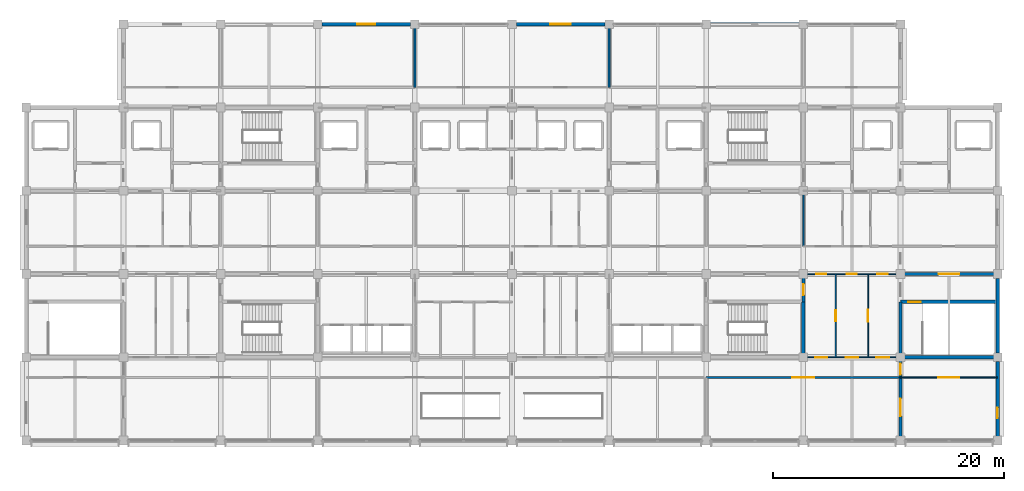
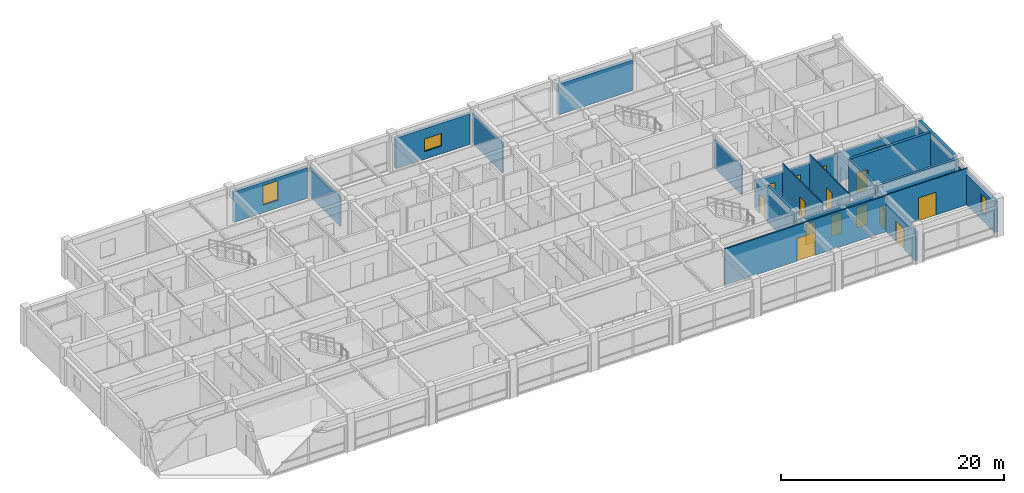
# One storey, part 18 of 23: 21 walls, 15 doors, 3 windows, 18 openings.
"""IFC4 building model written with IfcOpenShell, lengths in metres."""

from ifc_helpers import new_model, si_unit, direction, frame, frame_2d, origin, place, context, subcontext, project, spatial, rectangle, extrude, material, layer, layer_set, type_object, element, fill, save


model = new_model("IFC4")

# Units and contexts
model_context = context("Model", 3, precision=1e-05, world=origin(), true_north=direction((0.0, 1.0)))
body_context = subcontext(model_context, "Body", "Model", "MODEL_VIEW")
ifc_project = project(units=[si_unit("LENGTHUNIT", "METRE"), si_unit("AREAUNIT", "SQUARE_METRE"), si_unit("VOLUMEUNIT", "CUBIC_METRE"), si_unit("PLANEANGLEUNIT", "RADIAN"), si_unit("MASSUNIT", "GRAM", prefix="KILO")], contexts=[model_context])

# Site, building, storey
site_placement = place(None, origin())
site = spatial("IfcSite", under=ifc_project, at=site_placement, CompositionType="ELEMENT")
building_placement = place(site_placement, origin())
building = spatial("IfcBuilding", under=site, at=building_placement, Name="Chengyuan Square Courthouse", CompositionType="ELEMENT")
storey_placement = place(building_placement, frame((0.0, 0.0, 43.5)))
storey = spatial("IfcBuildingStorey", under=building, at=storey_placement, Name="L10", CompositionType="ELEMENT", Elevation=43.5)

# Wall, opening, window
ifc_material_1 = material(Name="Concrete C40", Category="concrete")
ifc_layer_1 = layer(ifc_material_1, 0.320068359375)
ifc_layer_set_1 = layer_set([ifc_layer_1], Name="Concrete C40")
wall_type_1 = type_object("IfcWallType", Name="WL-EW3", PredefinedType="STANDARD", material=ifc_layer_set_1)
wall_1_placement = place(storey_placement, frame((67.570068359375, 115.199951171875, 0.0), z_axis=(0.0, 0.0, 1.0), x_axis=(1.0, 0.0, 0.0)))
wall_1 = element("IfcWall", 1, at=wall_1_placement, inside=storey, type_object=wall_type_1, Name="Exterior Wall WL-L10-E437", PredefinedType="STANDARD", context=body_context, shape_type="SweptSolid", body=[
    extrude(rectangle(XDim=7.659912109375, YDim=0.320068359375, at=frame_2d((3.830078125, 0.0))), origin(), (0.0, 0.0, 1.0), 3.35009765625),
])
opening_1_placement = place(wall_1_placement, frame((3.054931640625, 0.0, 0.85009765625)))
opening_1 = element("IfcOpeningElement", 2, at=opening_1_placement, cuts=wall_1, Name="Opening WN-173", PredefinedType="OPENING", context=body_context, shape_type="SweptSolid", body=[
    extrude(rectangle(XDim=1.550048828125, YDim=2.1201171875, at=frame_2d((0.77490234375, 1.06005859375))), frame((0.0, 0.172119140625, 0.0), z_axis=(0.0, -1.0, 0.0), x_axis=(1.0, 0.0, 0.0)), (0.0, 0.0, 1.0), 0.343994140625),
])
ifc_material_2 = material(Name="Thermally Broken Aluminium Triple Low-E Window", Category="aluminium")
window_type_1 = type_object("IfcWindowType", Name="WT-30", PartitioningType="SINGLE_PANEL", PredefinedType="WINDOW", material=ifc_material_2)
window_1_placement = place(opening_1_placement, origin())
window_1 = element("IfcWindow", 3, at=window_1_placement, inside=storey, type_object=window_type_1, Name="Facade Window WN-173", OverallHeight=2.1201171875, OverallWidth=1.550048828125, PartitioningType="SINGLE_PANEL", PredefinedType="WINDOW", context=body_context, shape_type="SweptSolid", body=[
    extrude(rectangle(XDim=1.550048828125, YDim=2.1201171875, at=frame_2d((0.77490234375, 1.06005859375))), frame((0.0, 0.030029296875, 0.0), z_axis=(0.0, -1.0, 0.0), x_axis=(1.0, 0.0, 0.0)), (0.0, 0.0, 1.0), 0.06005859375),
])
fill(opening_1, window_1)

wall_2_placement = place(storey_placement, frame((84.3701171875, 115.199951171875, 0.0), z_axis=(0.0, 0.0, 1.0), x_axis=(1.0, 0.0, 0.0)))
wall_2 = element("IfcWall", 4, at=wall_2_placement, inside=storey, type_object=wall_type_1, Name="Exterior Wall WL-L10-E438", PredefinedType="STANDARD", context=body_context, shape_type="SweptSolid", body=[
    extrude(rectangle(XDim=7.659912109375, YDim=0.320068359375, at=frame_2d((3.830078125, 0.0))), origin(), (0.0, 0.0, 1.0), 3.35009765625),
])
opening_2_placement = place(wall_2_placement, frame((2.929931640625, 0.0, 0.85009765625)))
opening_2 = element("IfcOpeningElement", 5, at=opening_2_placement, cuts=wall_2, Name="Opening WN-174", PredefinedType="OPENING", context=body_context, shape_type="SweptSolid", body=[
    extrude(rectangle(XDim=1.800048828125, YDim=1.3798828125, at=frame_2d((0.89990234375, 0.68994140625))), frame((0.0, 0.172119140625, 0.0), z_axis=(0.0, -1.0, 0.0), x_axis=(1.0, 0.0, 0.0)), (0.0, 0.0, 1.0), 0.343994140625),
])
window_type_2 = type_object("IfcWindowType", Name="WT-32", PartitioningType="SINGLE_PANEL", PredefinedType="WINDOW", material=ifc_material_2)
window_2_placement = place(opening_2_placement, origin())
window_2 = element("IfcWindow", 6, at=window_2_placement, inside=storey, type_object=window_type_2, Name="Facade Window WN-174", OverallHeight=1.3798828125, OverallWidth=1.800048828125, PartitioningType="SINGLE_PANEL", PredefinedType="WINDOW", context=body_context, shape_type="SweptSolid", body=[
    extrude(rectangle(XDim=1.800048828125, YDim=1.3798828125, at=frame_2d((0.89990234375, 0.68994140625))), frame((0.0, 0.030029296875, 0.0), z_axis=(0.0, -1.0, 0.0), x_axis=(1.0, 0.0, 0.0)), (0.0, 0.0, 1.0), 0.06005859375),
])
fill(opening_2, window_2)

# Wall
wall_3_placement = place(storey_placement, frame((101.169921875, 115.199951171875, 0.0), z_axis=(0.0, 0.0, 1.0), x_axis=(1.0, 0.0, 0.0)))
element("IfcWall", 7, at=wall_3_placement, inside=storey, type_object=wall_type_1, Name="Exterior Wall WL-L10-E439", PredefinedType="STANDARD", context=body_context, shape_type="SweptSolid", body=[
    extrude(rectangle(XDim=7.66015625, YDim=0.320068359375, at=frame_2d((3.830078125, 0.0))), origin(), (0.0, 0.0, 1.0), 3.35009765625),
])

# Wall, opening, window
wall_4_placement = place(storey_placement, frame((126.0, 79.570068359375, 0.0), z_axis=(0.0, 0.0, 1.0), x_axis=(0.0, 1.0, 0.0)))
wall_4 = element("IfcWall", 8, at=wall_4_placement, inside=storey, type_object=wall_type_1, Name="Exterior Wall WL-L10-E441", PredefinedType="STANDARD", context=body_context, shape_type="SweptSolid", body=[
    extrude(rectangle(XDim=6.4599609375, YDim=0.320068359375, at=frame_2d((3.22998046875, 0.0))), origin(), (0.0, 0.0, 1.0), 3.35009765625),
])
opening_3_placement = place(wall_4_placement, frame((1.580078125, 0.0, 0.85009765625)))
opening_3 = element("IfcOpeningElement", 9, at=opening_3_placement, cuts=wall_4, Name="Opening WN-176", PredefinedType="OPENING", context=body_context, shape_type="SweptSolid", body=[
    extrude(rectangle(XDim=0.89990234375, YDim=1.919921875, at=frame_2d((0.449951171875, 0.9599609375))), frame((0.0, 0.172119140625, 0.0), z_axis=(0.0, -1.0, 0.0), x_axis=(1.0, 0.0, 0.0)), (0.0, 0.0, 1.0), 0.343994140625),
])
window_type_3 = type_object("IfcWindowType", Name="WT-05", PartitioningType="SINGLE_PANEL", PredefinedType="WINDOW", material=ifc_material_2)
window_3_placement = place(opening_3_placement, origin())
window_3 = element("IfcWindow", 10, at=window_3_placement, inside=storey, type_object=window_type_3, Name="Facade Window WN-176", OverallHeight=1.919921875, OverallWidth=0.89990234375, PartitioningType="SINGLE_PANEL", PredefinedType="WINDOW", context=body_context, shape_type="SweptSolid", body=[
    extrude(rectangle(XDim=0.89990234375, YDim=1.919921875, at=frame_2d((0.449951171875, 0.9599609375))), frame((0.0, 0.030029296875, 0.0), z_axis=(0.0, -1.0, 0.0), x_axis=(1.0, 0.0, 0.0)), (0.0, 0.0, 1.0), 0.06005859375),
])
fill(opening_3, window_3)

# Wall, opening, door
ifc_layer_2 = layer(ifc_material_1, 0.25)
ifc_layer_set_2 = layer_set([ifc_layer_2], Name="Concrete C40")
wall_type_2 = type_object("IfcWallType", Name="WL-FW1", PredefinedType="STANDARD", material=ifc_layer_set_2)
wall_5_placement = place(storey_placement, frame((117.60009765625, 93.60009765625, 0.0), z_axis=(0.0, 0.0, 1.0), x_axis=(1.0, 0.0, 0.0)))
wall_5 = element("IfcWall", 11, at=wall_5_placement, inside=storey, type_object=wall_type_2, Name="Interior Wall WL-L10-I3329", PredefinedType="STANDARD", context=body_context, shape_type="SweptSolid", body=[
    extrude(rectangle(XDim=8.35986328125, YDim=0.25, at=frame_2d((4.179931640625, 0.0))), origin(), (0.0, 0.0, 1.0), 3.14990234375),
])
opening_4_placement = place(wall_5_placement, frame((3.300048828125, 0.0, 0.0)))
opening_4 = element("IfcOpeningElement", 12, at=opening_4_placement, cuts=wall_5, Name="Opening DR-2791", PredefinedType="OPENING", context=body_context, shape_type="SweptSolid", body=[
    extrude(rectangle(XDim=1.800048828125, YDim=2.35009765625, at=frame_2d((0.89990234375, 1.175048828125))), frame((0.0, 0.136962890625, 0.0), z_axis=(0.0, -1.0, 0.0), x_axis=(1.0, 0.0, 0.0)), (0.0, 0.0, 1.0), 0.27392578125),
])
ifc_material_3 = material(Name="Steel Q235B Glazed Fire Door", Category="steel")
door_type_1 = type_object("IfcDoorType", Name="DT-18", OperationType="DOUBLE_DOOR_SINGLE_SWING", PredefinedType="DOOR", material=ifc_material_3)
door_1_placement = place(opening_4_placement, frame((1.800048828125, 0.0, 0.0), z_axis=(0.0, 0.0, 1.0), x_axis=(-1.0, 0.0, 0.0)))
door_1 = element("IfcDoor", 13, at=door_1_placement, inside=storey, type_object=door_type_1, Name="Interior Door DR-2791", OperationType="DOUBLE_DOOR_SINGLE_SWING", OverallHeight=2.35009765625, OverallWidth=1.800048828125, PredefinedType="DOOR", context=body_context, shape_type="SweptSolid", body=[
    extrude(rectangle(XDim=1.800048828125, YDim=2.35009765625, at=frame_2d((0.89990234375, 1.175048828125))), frame((0.0, 0.02490234375, 0.0), z_axis=(0.0, -1.0, 0.0), x_axis=(1.0, 0.0, 0.0)), (0.0, 0.0, 1.0), 0.050048828125),
])
fill(opening_4, door_1)

wall_6_placement = place(storey_placement, frame((109.199951171875, 91.199951171875, 0.0), z_axis=(0.0, 0.0, 1.0), x_axis=(0.0, 1.0, 0.0)))
wall_6 = element("IfcWall", 14, at=wall_6_placement, inside=storey, type_object=wall_type_2, Name="Interior Wall WL-L10-I3485", PredefinedType="STANDARD", context=body_context, shape_type="SweptSolid", body=[
    extrude(rectangle(XDim=2.400146484375, YDim=0.25, at=frame_2d((1.2001953125, 0.0))), origin(), (0.0, 0.0, 1.0), 3.199951171875),
])
opening_5_placement = place(wall_6_placement, frame((0.577392578125, 0.0, 0.0)))
opening_5 = element("IfcOpeningElement", 15, at=opening_5_placement, cuts=wall_6, Name="Opening DR-2788", PredefinedType="OPENING", context=body_context, shape_type="SweptSolid", body=[
    extrude(rectangle(XDim=0.949951171875, YDim=2.14990234375, at=frame_2d((0.47509765625, 1.074951171875))), frame((0.0, 0.136962890625, 0.0), z_axis=(0.0, -1.0, 0.0), x_axis=(1.0, 0.0, 0.0)), (0.0, 0.0, 1.0), 0.27392578125),
])
ifc_material_4 = material(Name="Steel Q235B Fire Door", Category="steel")
door_type_2 = type_object("IfcDoorType", Name="DT-12", OperationType="NOTDEFINED", PredefinedType="DOOR", material=ifc_material_4)
door_2_placement = place(opening_5_placement, origin())
door_2 = element("IfcDoor", 16, at=door_2_placement, inside=storey, type_object=door_type_2, Name="Interior Door DR-2788", OperationType="SINGLE_SWING_RIGHT", OverallHeight=2.14990234375, OverallWidth=0.949951171875, PredefinedType="DOOR", context=body_context, shape_type="SweptSolid", body=[
    extrude(rectangle(XDim=0.949951171875, YDim=2.14990234375, at=frame_2d((0.47509765625, 1.074951171875))), frame((0.0, 0.02490234375, 0.0), z_axis=(0.0, -1.0, 0.0), x_axis=(1.0, 0.0, 0.0)), (0.0, 0.0, 1.0), 0.050048828125),
])
fill(opening_5, door_2)

# Wall, openings, doors
wall_7_placement = place(storey_placement, frame((117.60009765625, 79.239990234375, 0.0), z_axis=(0.0, 0.0, 1.0), x_axis=(0.0, 1.0, 0.0)))
wall_7 = element("IfcWall", 17, at=wall_7_placement, inside=storey, type_object=wall_type_2, Name="Interior Wall WL-L10-I3498", PredefinedType="STANDARD", context=body_context, shape_type="SweptSolid", body=[
    extrude(rectangle(XDim=7.159912109375, YDim=0.25, at=frame_2d((3.580078125, 0.0))), origin(), (0.0, 0.0, 1.0), 3.199951171875),
])
opening_6_placement = place(wall_7_placement, frame((5.66259765625, 0.0, 0.0)))
opening_6 = element("IfcOpeningElement", 18, at=opening_6_placement, cuts=wall_7, Name="Opening DR-2903", PredefinedType="OPENING", context=body_context, shape_type="SweptSolid", body=[
    extrude(rectangle(XDim=0.949951171875, YDim=2.14990234375, at=frame_2d((0.47509765625, 1.074951171875))), frame((0.0, 0.136962890625, 0.0), z_axis=(0.0, -1.0, 0.0), x_axis=(1.0, 0.0, 0.0)), (0.0, 0.0, 1.0), 0.27392578125),
])
opening_7_placement = place(wall_7_placement, frame((2.08251953125, 0.0, 0.0)))
opening_7 = element("IfcOpeningElement", 19, at=opening_7_placement, cuts=wall_7, Name="Opening DR-2908", PredefinedType="OPENING", context=body_context, shape_type="SweptSolid", body=[
    extrude(rectangle(XDim=1.5, YDim=2.25, at=frame_2d((0.75, 1.125))), frame((0.0, 0.136962890625, 0.0), z_axis=(0.0, -1.0, 0.0), x_axis=(1.0, 0.0, 0.0)), (0.0, 0.0, 1.0), 0.27392578125),
])
door_3_placement = place(opening_6_placement, origin())
door_3 = element("IfcDoor", 20, at=door_3_placement, inside=storey, type_object=door_type_2, Name="Interior Door DR-2903", OperationType="SINGLE_SWING_LEFT", OverallHeight=2.14990234375, OverallWidth=0.949951171875, PredefinedType="DOOR", context=body_context, shape_type="SweptSolid", body=[
    extrude(rectangle(XDim=0.949951171875, YDim=2.14990234375, at=frame_2d((0.47509765625, 1.074951171875))), frame((0.0, 0.02490234375, 0.0), z_axis=(0.0, -1.0, 0.0), x_axis=(1.0, 0.0, 0.0)), (0.0, 0.0, 1.0), 0.050048828125),
])
fill(opening_6, door_3)
door_type_3 = type_object("IfcDoorType", Name="DT-19", OperationType="DOUBLE_DOOR_SINGLE_SWING", PredefinedType="DOOR", material=ifc_material_3)
door_4_placement = place(opening_7_placement, frame((1.5, 0.0, 0.0), z_axis=(0.0, 0.0, 1.0), x_axis=(-1.0, 0.0, 0.0)))
door_4 = element("IfcDoor", 21, at=door_4_placement, inside=storey, type_object=door_type_3, Name="Interior Door DR-2908", OperationType="DOUBLE_DOOR_SINGLE_SWING", OverallHeight=2.25, OverallWidth=1.5, PredefinedType="DOOR", context=body_context, shape_type="SweptSolid", body=[
    extrude(rectangle(XDim=1.5, YDim=2.25, at=frame_2d((0.75, 1.125))), frame((0.0, 0.02490234375, 0.0), z_axis=(0.0, -1.0, 0.0), x_axis=(1.0, 0.0, 0.0)), (0.0, 0.0, 1.0), 0.050048828125),
])
fill(opening_7, door_4)

# Wall, opening, door
ifc_material_5 = material(Name="Acoustic Timber-Lined Gypsum Partition", Category="wood")
ifc_layer_3 = layer(ifc_material_5, 0.159912109375)
ifc_layer_set_3 = layer_set([ifc_layer_3], Name="Acoustic Timber-Lined Gypsum Partition")
wall_type_3 = type_object("IfcWallType", Name="WL-PT2", PredefinedType="STANDARD", material=ifc_layer_set_3)
wall_8_placement = place(storey_placement, frame((100.800048828125, 84.64990234375, 0.0), z_axis=(0.0, 0.0, 1.0), x_axis=(1.0, 0.0, 0.0)))
wall_8 = element("IfcWall", 22, at=wall_8_placement, inside=storey, type_object=wall_type_3, Name="Interior Wall WL-L10-I3298", PredefinedType="STANDARD", context=body_context, shape_type="SweptSolid", body=[
    extrude(rectangle(XDim=16.800048828125, YDim=0.159912109375, at=frame_2d((8.39990234375, 0.0))), origin(), (0.0, 0.0, 1.0), 3.949951171875),
])
opening_8_placement = place(wall_8_placement, frame((7.449951171875, 0.0, 0.0)))
opening_8 = element("IfcOpeningElement", 23, at=opening_8_placement, cuts=wall_8, Name="Opening DR-2905", PredefinedType="OPENING", context=body_context, shape_type="SweptSolid", body=[
    extrude(rectangle(XDim=1.89990234375, YDim=2.5, at=frame_2d((0.949951171875, 1.25))), frame((0.0, 0.092041015625, 0.0), z_axis=(0.0, -1.0, 0.0), x_axis=(1.0, 0.0, 0.0)), (0.0, 0.0, 1.0), 0.183837890625),
])
ifc_material_6 = material(Name="Acoustic Larch Veneer Double Door")
door_type_4 = type_object("IfcDoorType", Name="DT-26", OperationType="DOUBLE_DOOR_SINGLE_SWING", PredefinedType="DOOR", material=ifc_material_6)
door_5_placement = place(opening_8_placement, frame((1.89990234375, 0.0, 0.0), z_axis=(0.0, 0.0, 1.0), x_axis=(-1.0, 0.0, 0.0)))
door_5 = element("IfcDoor", 24, at=door_5_placement, inside=storey, type_object=door_type_4, Name="Interior Door DR-2905", OperationType="DOUBLE_DOOR_SINGLE_SWING", OverallHeight=2.5, OverallWidth=1.89990234375, PredefinedType="DOOR", context=body_context, shape_type="SweptSolid", body=[
    extrude(rectangle(XDim=1.89990234375, YDim=2.5, at=frame_2d((0.949951171875, 1.25))), frame((0.0, 0.02490234375, 0.0), z_axis=(0.0, -1.0, 0.0), x_axis=(1.0, 0.0, 0.0)), (0.0, 0.0, 1.0), 0.050048828125),
])
fill(opening_8, door_5)

# Walls
for number, where, z_axis, x_axis, name in (
    (25, (75.60009765625, 109.75, 0.0), (0.0, 0.0, 1.0), (0.0, 1.0, 0.0), "Interior Wall WL-L10-I3444"),
    (26, (92.39990234375, 109.75, 0.0), (0.0, 0.0, 1.0), (0.0, 1.0, 0.0), "Interior Wall WL-L10-I3467"),
):
    element("IfcWall", number, at=place(storey_placement, frame(where, z_axis=z_axis, x_axis=x_axis)), inside=storey, type_object=wall_type_3, Name=name, PredefinedType="STANDARD", context=body_context, shape_type="SweptSolid", body=[
        extrude(rectangle(XDim=5.409912109375, YDim=0.159912109375, at=frame_2d((2.705078125, 0.0))), origin(), (0.0, 0.0, 1.0), 3.25),
    ])
ifc_material_7 = material(Name="Deliberation Room Sound-Insulated Partition")
ifc_layer_4 = layer(ifc_material_7, 0.14990234375)
ifc_layer_set_4 = layer_set([ifc_layer_4], Name="Deliberation Room Sound-Insulated Partition")
wall_type_4 = type_object("IfcWallType", Name="WL-PT3", PredefinedType="STANDARD", material=ifc_layer_set_4)
wall_9_placement = place(storey_placement, frame((109.199951171875, 96.0, 0.0), z_axis=(0.0, 0.0, 1.0), x_axis=(0.0, 1.0, 0.0)))
element("IfcWall", 27, at=wall_9_placement, inside=storey, type_object=wall_type_4, Name="Interior Wall WL-L10-I3486", PredefinedType="STANDARD", context=body_context, shape_type="SweptSolid", body=[
    extrude(rectangle(XDim=4.800048828125, YDim=0.14990234375, at=frame_2d((2.39990234375, 0.0))), origin(), (0.0, 0.0, 1.0), 3.199951171875),
])

# Wall, opening, door
ifc_material_8 = material(Name="Gypsum Plasterboard Acoustic Stud Partition")
ifc_layer_5 = layer(ifc_material_8, 0.10009765625)
ifc_layer_set_5 = layer_set([ifc_layer_5], Name="Gypsum Plasterboard Acoustic Stud Partition")
wall_type_5 = type_object("IfcWallType", Name="WL-PT6", PredefinedType="STANDARD", material=ifc_layer_set_5)
wall_10_placement = place(storey_placement, frame((117.60009765625, 84.64990234375, 0.0), z_axis=(0.0, 0.0, 1.0), x_axis=(1.0, 0.0, 0.0)))
wall_10 = element("IfcWall", 28, at=wall_10_placement, inside=storey, type_object=wall_type_5, Name="Interior Wall WL-L10-I3299", PredefinedType="STANDARD", context=body_context, shape_type="SweptSolid", body=[
    extrude(rectangle(XDim=8.35986328125, YDim=0.10009765625, at=frame_2d((4.179931640625, 0.0))), origin(), (0.0, 0.0, 1.0), 4.0),
])
opening_9_placement = place(wall_10_placement, frame((3.280029296875, 0.0, 0.0)))
opening_9 = element("IfcOpeningElement", 29, at=opening_9_placement, cuts=wall_10, Name="Opening DR-2906", PredefinedType="OPENING", context=body_context, shape_type="SweptSolid", body=[
    extrude(rectangle(XDim=1.800048828125, YDim=2.5, at=frame_2d((0.89990234375, 1.25))), frame((0.0, 0.06201171875, 0.0), z_axis=(0.0, -1.0, 0.0), x_axis=(1.0, 0.0, 0.0)), (0.0, 0.0, 1.0), 0.1240234375),
])
door_type_5 = type_object("IfcDoorType", Name="DT-21", OperationType="DOUBLE_DOOR_SINGLE_SWING", PredefinedType="DOOR", material=ifc_material_6)
door_6_placement = place(opening_9_placement, frame((1.800048828125, 0.0, 0.0), z_axis=(0.0, 0.0, 1.0), x_axis=(-1.0, 0.0, 0.0)))
door_6 = element("IfcDoor", 30, at=door_6_placement, inside=storey, type_object=door_type_5, Name="Interior Door DR-2906", OperationType="DOUBLE_DOOR_SINGLE_SWING", OverallHeight=2.5, OverallWidth=1.800048828125, PredefinedType="DOOR", context=body_context, shape_type="SweptSolid", body=[
    extrude(rectangle(XDim=1.800048828125, YDim=2.5, at=frame_2d((0.89990234375, 1.25))), frame((0.0, 0.02490234375, 0.0), z_axis=(0.0, -1.0, 0.0), x_axis=(1.0, 0.0, 0.0)), (0.0, 0.0, 1.0), 0.050048828125),
])
fill(opening_9, door_6)

# Wall, openings, doors
wall_11_placement = place(storey_placement, frame((109.199951171875, 86.39990234375, 0.0), z_axis=(0.0, 0.0, 1.0), x_axis=(1.0, 0.0, 0.0)))
wall_11 = element("IfcWall", 31, at=wall_11_placement, inside=storey, type_object=wall_type_5, Name="Interior Wall WL-L10-I3308", PredefinedType="STANDARD", context=body_context, shape_type="SweptSolid", body=[
    extrude(rectangle(XDim=8.400146484375, YDim=0.10009765625, at=frame_2d((4.2001953125, 0.0))), origin(), (0.0, 0.0, 1.0), 3.10009765625),
])
opening_10_placement = place(wall_11_placement, frame((1.047607421875, 0.0, 0.0)))
opening_10 = element("IfcOpeningElement", 32, at=opening_10_placement, cuts=wall_11, Name="Opening DR-2884", PredefinedType="OPENING", context=body_context, shape_type="SweptSolid", body=[
    extrude(rectangle(XDim=1.0, YDim=2.25, at=frame_2d((0.5, 1.125))), frame((0.0, 0.06201171875, 0.0), z_axis=(0.0, -1.0, 0.0), x_axis=(1.0, 0.0, 0.0)), (0.0, 0.0, 1.0), 0.1240234375),
])
opening_11_placement = place(wall_11_placement, frame((3.659912109375, 0.0, 0.0)))
opening_11 = element("IfcOpeningElement", 33, at=opening_11_placement, cuts=wall_11, Name="Opening DR-2886", PredefinedType="OPENING", context=body_context, shape_type="SweptSolid", body=[
    extrude(rectangle(XDim=1.080078125, YDim=2.25, at=frame_2d((0.5400390625, 1.125))), frame((0.0, 0.06201171875, 0.0), z_axis=(0.0, -1.0, 0.0), x_axis=(1.0, 0.0, 0.0)), (0.0, 0.0, 1.0), 0.1240234375),
])
opening_12_placement = place(wall_11_placement, frame((6.29248046875, 0.0, 0.0)))
opening_12 = element("IfcOpeningElement", 34, at=opening_12_placement, cuts=wall_11, Name="Opening DR-2887", PredefinedType="OPENING", context=body_context, shape_type="SweptSolid", body=[
    extrude(rectangle(XDim=1.1201171875, YDim=2.25, at=frame_2d((0.56005859375, 1.125))), frame((0.0, 0.06201171875, 0.0), z_axis=(0.0, -1.0, 0.0), x_axis=(1.0, 0.0, 0.0)), (0.0, 0.0, 1.0), 0.1240234375),
])
ifc_material_9 = material(Name="Acoustic Solid-Core Timber Door", Category="wood")
door_type_6 = type_object("IfcDoorType", Name="DT-31", OperationType="NOTDEFINED", PredefinedType="DOOR", material=ifc_material_9)
door_7_placement = place(opening_10_placement, origin())
door_7 = element("IfcDoor", 35, at=door_7_placement, inside=storey, type_object=door_type_6, Name="Interior Door DR-2884", OperationType="SINGLE_SWING_RIGHT", OverallHeight=2.25, OverallWidth=1.0, PredefinedType="DOOR", context=body_context, shape_type="SweptSolid", body=[
    extrude(rectangle(XDim=1.0, YDim=2.25, at=frame_2d((0.5, 1.125))), frame((0.0, 0.02490234375, 0.0), z_axis=(0.0, -1.0, 0.0), x_axis=(1.0, 0.0, 0.0)), (0.0, 0.0, 1.0), 0.050048828125),
])
fill(opening_10, door_7)
door_type_7 = type_object("IfcDoorType", Name="DT-33", OperationType="NOTDEFINED", PredefinedType="DOOR", material=ifc_material_9)
door_8_placement = place(opening_11_placement, origin())
door_8 = element("IfcDoor", 36, at=door_8_placement, inside=storey, type_object=door_type_7, Name="Interior Door DR-2886", OperationType="SINGLE_SWING_RIGHT", OverallHeight=2.25, OverallWidth=1.080078125, PredefinedType="DOOR", context=body_context, shape_type="SweptSolid", body=[
    extrude(rectangle(XDim=1.080078125, YDim=2.25, at=frame_2d((0.5400390625, 1.125))), frame((0.0, 0.02490234375, 0.0), z_axis=(0.0, -1.0, 0.0), x_axis=(1.0, 0.0, 0.0)), (0.0, 0.0, 1.0), 0.050048828125),
])
fill(opening_11, door_8)
door_type_8 = type_object("IfcDoorType", Name="DT-34", OperationType="NOTDEFINED", PredefinedType="DOOR", material=ifc_material_9)
door_9_placement = place(opening_12_placement, origin())
door_9 = element("IfcDoor", 37, at=door_9_placement, inside=storey, type_object=door_type_8, Name="Interior Door DR-2887", OperationType="SINGLE_SWING_LEFT", OverallHeight=2.25, OverallWidth=1.1201171875, PredefinedType="DOOR", context=body_context, shape_type="SweptSolid", body=[
    extrude(rectangle(XDim=1.1201171875, YDim=2.25, at=frame_2d((0.56005859375, 1.125))), frame((0.0, 0.02490234375, 0.0), z_axis=(0.0, -1.0, 0.0), x_axis=(1.0, 0.0, 0.0)), (0.0, 0.0, 1.0), 0.050048828125),
])
fill(opening_12, door_9)

wall_12_placement = place(storey_placement, frame((109.199951171875, 93.60009765625, 0.0), z_axis=(0.0, 0.0, 1.0), x_axis=(1.0, 0.0, 0.0)))
wall_12 = element("IfcWall", 38, at=wall_12_placement, inside=storey, type_object=wall_type_5, Name="Interior Wall WL-L10-I3328", PredefinedType="STANDARD", context=body_context, shape_type="SweptSolid", body=[
    extrude(rectangle(XDim=8.400146484375, YDim=0.10009765625, at=frame_2d((4.2001953125, 0.0))), origin(), (0.0, 0.0, 1.0), 3.10009765625),
])
opening_13_placement = place(wall_12_placement, frame((1.097412109375, 0.0, 0.0)))
opening_13 = element("IfcOpeningElement", 39, at=opening_13_placement, cuts=wall_12, Name="Opening DR-2863", PredefinedType="OPENING", context=body_context, shape_type="SweptSolid", body=[
    extrude(rectangle(XDim=0.89990234375, YDim=2.14990234375, at=frame_2d((0.449951171875, 1.074951171875))), frame((0.0, 0.06201171875, 0.0), z_axis=(0.0, -1.0, 0.0), x_axis=(1.0, 0.0, 0.0)), (0.0, 0.0, 1.0), 0.1240234375),
])
opening_14_placement = place(wall_12_placement, frame((3.77001953125, 0.0, 0.0)))
opening_14 = element("IfcOpeningElement", 40, at=opening_14_placement, cuts=wall_12, Name="Opening DR-2864", PredefinedType="OPENING", context=body_context, shape_type="SweptSolid", body=[
    extrude(rectangle(XDim=0.860107421875, YDim=2.10009765625, at=frame_2d((0.43017578125, 1.050048828125))), frame((0.0, 0.06201171875, 0.0), z_axis=(0.0, -1.0, 0.0), x_axis=(1.0, 0.0, 0.0)), (0.0, 0.0, 1.0), 0.1240234375),
])
opening_15_placement = place(wall_12_placement, frame((6.392578125, 0.0, 0.0)))
opening_15 = element("IfcOpeningElement", 41, at=opening_15_placement, cuts=wall_12, Name="Opening DR-2865", PredefinedType="OPENING", context=body_context, shape_type="SweptSolid", body=[
    extrude(rectangle(XDim=0.919921875, YDim=2.14990234375, at=frame_2d((0.4599609375, 1.074951171875))), frame((0.0, 0.06201171875, 0.0), z_axis=(0.0, -1.0, 0.0), x_axis=(1.0, 0.0, 0.0)), (0.0, 0.0, 1.0), 0.1240234375),
])
door_type_9 = type_object("IfcDoorType", Name="DT-27", OperationType="NOTDEFINED", PredefinedType="DOOR", material=ifc_material_9)
door_10_placement = place(opening_13_placement, origin())
door_10 = element("IfcDoor", 42, at=door_10_placement, inside=storey, type_object=door_type_9, Name="Interior Door DR-2863", OperationType="SINGLE_SWING_LEFT", OverallHeight=2.14990234375, OverallWidth=0.89990234375, PredefinedType="DOOR", context=body_context, shape_type="SweptSolid", body=[
    extrude(rectangle(XDim=0.89990234375, YDim=2.14990234375, at=frame_2d((0.449951171875, 1.074951171875))), frame((0.0, 0.02490234375, 0.0), z_axis=(0.0, -1.0, 0.0), x_axis=(1.0, 0.0, 0.0)), (0.0, 0.0, 1.0), 0.050048828125),
])
fill(opening_13, door_10)
door_type_10 = type_object("IfcDoorType", Name="DT-28", OperationType="NOTDEFINED", PredefinedType="DOOR", material=ifc_material_9)
door_11_placement = place(opening_14_placement, origin())
door_11 = element("IfcDoor", 43, at=door_11_placement, inside=storey, type_object=door_type_10, Name="Interior Door DR-2864", OperationType="SINGLE_SWING_RIGHT", OverallHeight=2.10009765625, OverallWidth=0.860107421875, PredefinedType="DOOR", context=body_context, shape_type="SweptSolid", body=[
    extrude(rectangle(XDim=0.860107421875, YDim=2.10009765625, at=frame_2d((0.43017578125, 1.050048828125))), frame((0.0, 0.02490234375, 0.0), z_axis=(0.0, -1.0, 0.0), x_axis=(1.0, 0.0, 0.0)), (0.0, 0.0, 1.0), 0.050048828125),
])
fill(opening_14, door_11)
door_type_11 = type_object("IfcDoorType", Name="DT-29", OperationType="NOTDEFINED", PredefinedType="DOOR", material=ifc_material_9)
door_12_placement = place(opening_15_placement, origin())
door_12 = element("IfcDoor", 44, at=door_12_placement, inside=storey, type_object=door_type_11, Name="Interior Door DR-2865", OperationType="SINGLE_SWING_LEFT", OverallHeight=2.14990234375, OverallWidth=0.919921875, PredefinedType="DOOR", context=body_context, shape_type="SweptSolid", body=[
    extrude(rectangle(XDim=0.919921875, YDim=2.14990234375, at=frame_2d((0.4599609375, 1.074951171875))), frame((0.0, 0.02490234375, 0.0), z_axis=(0.0, -1.0, 0.0), x_axis=(1.0, 0.0, 0.0)), (0.0, 0.0, 1.0), 0.050048828125),
])
fill(opening_15, door_12)

# Wall, opening, door
wall_13_placement = place(storey_placement, frame((112.0, 86.39990234375, 0.0), z_axis=(0.0, 0.0, 1.0), x_axis=(0.0, 1.0, 0.0)))
wall_13 = element("IfcWall", 45, at=wall_13_placement, inside=storey, type_object=wall_type_5, Name="Interior Wall WL-L10-I3490", PredefinedType="STANDARD", context=body_context, shape_type="SweptSolid", body=[
    extrude(rectangle(XDim=7.2001953125, YDim=0.10009765625, at=frame_2d((3.60009765625, 0.0))), origin(), (0.0, 0.0, 1.0), 3.949951171875),
])
opening_16_placement = place(wall_13_placement, frame((3.1201171875, 0.0, 0.0)))
opening_16 = element("IfcOpeningElement", 46, at=opening_16_placement, cuts=wall_13, Name="Opening DR-2883", PredefinedType="OPENING", context=body_context, shape_type="SweptSolid", body=[
    extrude(rectangle(XDim=0.9599609375, YDim=2.199951171875, at=frame_2d((0.47998046875, 1.10009765625))), frame((0.0, 0.06201171875, 0.0), z_axis=(0.0, -1.0, 0.0), x_axis=(1.0, 0.0, 0.0)), (0.0, 0.0, 1.0), 0.1240234375),
])
door_type_12 = type_object("IfcDoorType", Name="DT-30", OperationType="NOTDEFINED", PredefinedType="DOOR", material=ifc_material_9)
door_13_placement = place(opening_16_placement, origin())
door_13 = element("IfcDoor", 47, at=door_13_placement, inside=storey, type_object=door_type_12, Name="Interior Door DR-2883", OperationType="SINGLE_SWING_LEFT", OverallHeight=2.199951171875, OverallWidth=0.9599609375, PredefinedType="DOOR", context=body_context, shape_type="SweptSolid", body=[
    extrude(rectangle(XDim=0.9599609375, YDim=2.199951171875, at=frame_2d((0.47998046875, 1.10009765625))), frame((0.0, 0.02490234375, 0.0), z_axis=(0.0, -1.0, 0.0), x_axis=(1.0, 0.0, 0.0)), (0.0, 0.0, 1.0), 0.050048828125),
])
fill(opening_16, door_13)

wall_14_placement = place(storey_placement, frame((114.800048828125, 86.39990234375, 0.0), z_axis=(0.0, 0.0, 1.0), x_axis=(0.0, 1.0, 0.0)))
wall_14 = element("IfcWall", 48, at=wall_14_placement, inside=storey, type_object=wall_type_5, Name="Interior Wall WL-L10-I3495", PredefinedType="STANDARD", context=body_context, shape_type="SweptSolid", body=[
    extrude(rectangle(XDim=7.2001953125, YDim=0.10009765625, at=frame_2d((3.60009765625, 0.0))), origin(), (0.0, 0.0, 1.0), 3.949951171875),
])
opening_17_placement = place(wall_14_placement, frame((3.080078125, 0.0, 0.0)))
opening_17 = element("IfcOpeningElement", 49, at=opening_17_placement, cuts=wall_14, Name="Opening DR-2885", PredefinedType="OPENING", context=body_context, shape_type="SweptSolid", body=[
    extrude(rectangle(XDim=1.0400390625, YDim=2.199951171875, at=frame_2d((0.52001953125, 1.10009765625))), frame((0.0, 0.06201171875, 0.0), z_axis=(0.0, -1.0, 0.0), x_axis=(1.0, 0.0, 0.0)), (0.0, 0.0, 1.0), 0.1240234375),
])
door_type_13 = type_object("IfcDoorType", Name="DT-32", OperationType="NOTDEFINED", PredefinedType="DOOR", material=ifc_material_9)
door_14_placement = place(opening_17_placement, origin())
door_14 = element("IfcDoor", 50, at=door_14_placement, inside=storey, type_object=door_type_13, Name="Interior Door DR-2885", OperationType="SINGLE_SWING_LEFT", OverallHeight=2.199951171875, OverallWidth=1.0400390625, PredefinedType="DOOR", context=body_context, shape_type="SweptSolid", body=[
    extrude(rectangle(XDim=1.0400390625, YDim=2.199951171875, at=frame_2d((0.52001953125, 1.10009765625))), frame((0.0, 0.02490234375, 0.0), z_axis=(0.0, -1.0, 0.0), x_axis=(1.0, 0.0, 0.0)), (0.0, 0.0, 1.0), 0.050048828125),
])
fill(opening_17, door_14)

# Walls
ifc_layer_6 = layer(ifc_material_1, 0.300048828125)
ifc_layer_set_6 = layer_set([ifc_layer_6], Name="Concrete C40")
wall_type_6 = type_object("IfcWallType", Name="WL-SW2", PredefinedType="SHEAR", material=ifc_layer_set_6)
wall_15_placement = place(storey_placement, frame((126.0, 86.77001953125, 0.0), z_axis=(0.0, 0.0, 1.0), x_axis=(0.0, 1.0, 0.0)))
element("IfcWall", 51, at=wall_15_placement, inside=storey, type_object=wall_type_6, Name="Exterior Wall WL-L10-E442", PredefinedType="SHEAR", context=body_context, shape_type="SweptSolid", body=[
    extrude(rectangle(XDim=6.4599609375, YDim=0.300048828125, at=frame_2d((3.22998046875, 0.0))), origin(), (0.0, 0.0, 1.0), 4.0),
])
wall_16_placement = place(storey_placement, frame((117.60009765625, 86.39990234375, 0.0), z_axis=(0.0, 0.0, 1.0), x_axis=(1.0, 0.0, 0.0)))
element("IfcWall", 52, at=wall_16_placement, inside=storey, type_object=wall_type_6, Name="Interior Wall WL-L10-I3309", PredefinedType="SHEAR", context=body_context, shape_type="SweptSolid", body=[
    extrude(rectangle(XDim=8.35986328125, YDim=0.300048828125, at=frame_2d((4.179931640625, 0.0))), origin(), (0.0, 0.0, 1.0), 4.0),
])

# Wall, opening, door
wall_17_placement = place(storey_placement, frame((117.60009765625, 91.199951171875, 0.0), z_axis=(0.0, 0.0, 1.0), x_axis=(1.0, 0.0, 0.0)))
wall_17 = element("IfcWall", 53, at=wall_17_placement, inside=storey, type_object=wall_type_6, Name="Interior Wall WL-L10-I3322", PredefinedType="SHEAR", context=body_context, shape_type="SweptSolid", body=[
    extrude(rectangle(XDim=8.35986328125, YDim=0.300048828125, at=frame_2d((4.179931640625, 0.0))), origin(), (0.0, 0.0, 1.0), 4.0),
])
opening_18_placement = place(wall_17_placement, frame((0.64990234375, 0.0, 0.0)))
opening_18 = element("IfcOpeningElement", 54, at=opening_18_placement, cuts=wall_17, Name="Opening DR-2776", PredefinedType="OPENING", context=body_context, shape_type="SweptSolid", body=[
    extrude(rectangle(XDim=1.10009765625, YDim=2.199951171875, at=frame_2d((0.550048828125, 1.10009765625))), frame((0.0, 0.162109375, 0.0), z_axis=(0.0, -1.0, 0.0), x_axis=(1.0, 0.0, 0.0)), (0.0, 0.0, 1.0), 0.323974609375),
])
door_type_14 = type_object("IfcDoorType", Name="DT-10", OperationType="NOTDEFINED", PredefinedType="DOOR", material=ifc_material_4)
door_15_placement = place(opening_18_placement, frame((1.10009765625, 0.0, 0.0), z_axis=(0.0, 0.0, 1.0), x_axis=(-1.0, 0.0, 0.0)))
door_15 = element("IfcDoor", 55, at=door_15_placement, inside=storey, type_object=door_type_14, Name="Smoke-Proof Stairwell Fire Door ST-6 DR-2776", OperationType="SINGLE_SWING_RIGHT", OverallHeight=2.199951171875, OverallWidth=1.10009765625, PredefinedType="DOOR", context=body_context, shape_type="SweptSolid", body=[
    extrude(rectangle(XDim=1.10009765625, YDim=2.199951171875, at=frame_2d((0.550048828125, 1.10009765625))), frame((0.0, 0.02490234375, 0.0), z_axis=(0.0, -1.0, 0.0), x_axis=(1.0, 0.0, 0.0)), (0.0, 0.0, 1.0), 0.050048828125),
])
fill(opening_18, door_15)

# Walls
for number, where, z_axis, x_axis, name in (
    (56, (109.199951171875, 86.39990234375, 0.0), (0.0, 0.0, 1.0), (0.0, 1.0, 0.0), "Interior Wall WL-L10-I3484"),
    (57, (117.60009765625, 86.39990234375, 0.0), (0.0, 0.0, 1.0), (0.0, 1.0, 0.0), "Interior Wall WL-L10-I3499"),
):
    element("IfcWall", number, at=place(storey_placement, frame(where, z_axis=z_axis, x_axis=x_axis)), inside=storey, type_object=wall_type_6, Name=name, PredefinedType="SHEAR", context=body_context, shape_type="SweptSolid", body=[
        extrude(rectangle(XDim=4.800048828125, YDim=0.300048828125, at=frame_2d((2.39990234375, 0.0))), origin(), (0.0, 0.0, 1.0), 3.949951171875),
    ])

save(model, "model.ifc")
